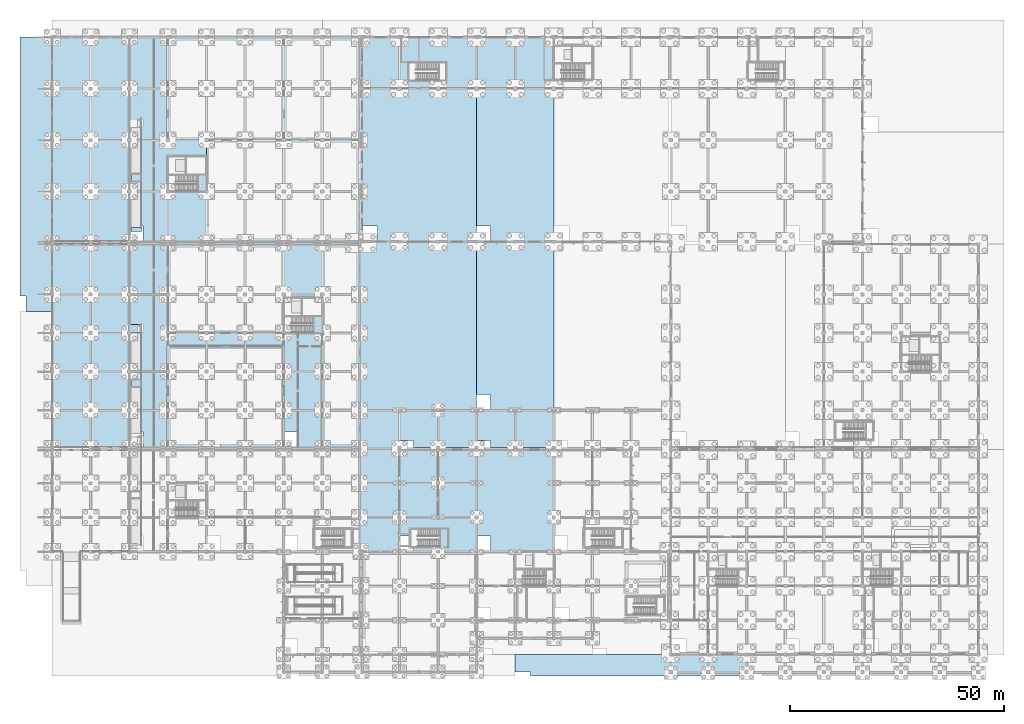
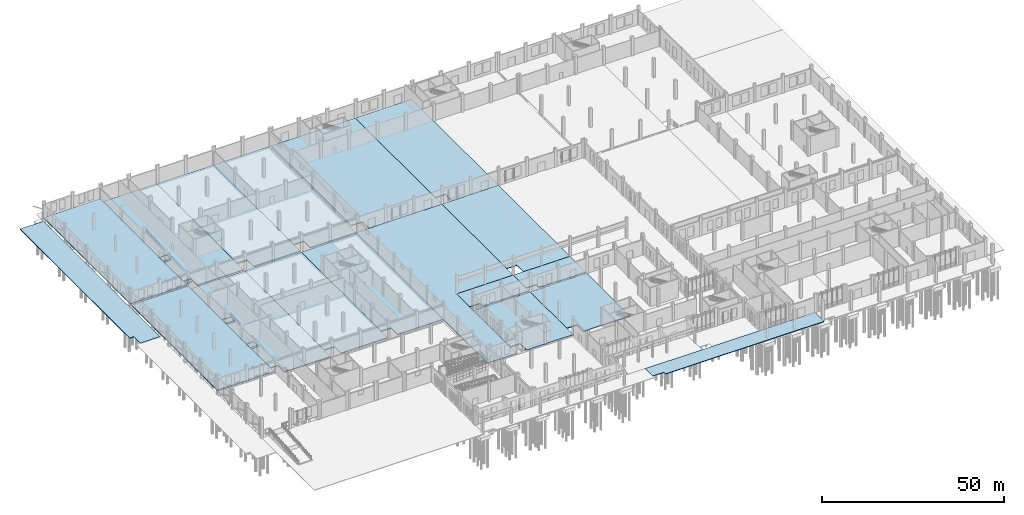
# One storey, part 48 of 99: 25 slabs, 5 elements without a shape of their own.
"""IFC4 building model written with IfcOpenShell, lengths in metres."""

from ifc_helpers import new_model, si_unit, direction, frame, origin, place, context, subcontext, project, spatial, polyline, outline, extrude, material, layer, layer_set, type_object, element, aggregate, save


model = new_model("IFC4")

# Units and contexts
model_context = context("Model", 3, precision=1e-05, world=origin(), true_north=direction((0.0, 1.0)))
body_context = subcontext(model_context, "Body", "Model", "MODEL_VIEW")
ifc_project = project(units=[si_unit("LENGTHUNIT", "METRE"), si_unit("AREAUNIT", "SQUARE_METRE"), si_unit("VOLUMEUNIT", "CUBIC_METRE"), si_unit("PLANEANGLEUNIT", "RADIAN"), si_unit("MASSUNIT", "GRAM", prefix="KILO")], contexts=[model_context])

# Site, building, storey
site_placement = place(None, origin())
site = spatial("IfcSite", under=ifc_project, at=site_placement, CompositionType="ELEMENT")
building_placement = place(site_placement, origin())
building = spatial("IfcBuilding", under=site, at=building_placement, Name="Zacnel Wholesale Market", CompositionType="ELEMENT")
storey_placement = place(building_placement, origin())
storey = spatial("IfcBuildingStorey", under=building, at=storey_placement, Name="L01", CompositionType="ELEMENT", Elevation=0.0)

# Slabs
ifc_material_1 = material(Name="Concrete C35/45", Category="concrete")
ifc_layer_1 = layer(ifc_material_1, 0.219970703125)
ifc_layer_set_1 = layer_set([ifc_layer_1], Name="Concrete C35/45")
slab_type_1 = type_object("IfcSlabType", Name="SLB-BASE-220", PredefinedType="BASESLAB", material=ifc_layer_set_1)
slab_1_placement = place(storey_placement, frame((0.0, 0.0, -0.219970703125)))
element("IfcSlab", 1, at=slab_1_placement, inside=storey, type_object=slab_type_1, Name="Structural slab SLB-L01-FORECOURT-S-P2", PredefinedType="BASESLAB", context=body_context, shape_type="SweptSolid", body=[
    extrude(outline(polyline([(111.60009765625, -5.0), (162.0, -5.0), (162.0, 0.0), (108.0, 0.0), (108.0, -4.10009765625), (111.60009765625, -4.10009765625), (111.60009765625, -5.0)])), origin(), (0.0, 0.0, 1.0), 0.219970703125),
])
slab_2_placement = place(storey_placement, frame((0.0, 0.0, -0.219970703125)))
element("IfcSlab", 2, at=slab_2_placement, inside=storey, type_object=slab_type_1, Name="Structural slab SLB-L01-COURT-C-P1", PredefinedType="BASESLAB", context=body_context, shape_type="SweptSolid", body=[
    extrude(outline(polyline([(71.699951171875, 96.300048828125), (99.0, 96.300048828125), (99.0, 57.0), (81.0, 57.0), (81.0, 24.0), (71.699951171875, 24.0), (71.699951171875, 96.300048828125)])), origin(), (0.0, 0.0, 1.0), 0.219970703125),
])
slab_3_placement = place(storey_placement, frame((0.0, 0.0, -0.219970703125)))
element("IfcSlab", 3, at=slab_3_placement, inside=storey, type_object=slab_type_1, Name="Structural slab SLB-L01-COURT-C-P2", PredefinedType="BASESLAB", context=body_context, shape_type="SweptSolid", body=[
    extrude(outline(polyline([(102.239990234375, 57.0), (117.0, 57.0), (117.0, 96.300048828125), (99.0, 96.300048828125), (99.0, 60.60009765625), (102.239990234375, 60.60009765625), (102.239990234375, 57.0)])), origin(), (0.0, 0.0, 1.0), 0.219970703125),
])
ifc_material_2 = material(Name="Concrete C35/45", Category="concrete")
ifc_layer_2 = layer(ifc_material_2, 0.239990234375)
ifc_layer_set_2 = layer_set([ifc_layer_2], Name="Concrete C35/45")
slab_type_2 = type_object("IfcSlabType", Name="SLB-BASE-240", PredefinedType="BASESLAB", material=ifc_layer_set_2)
slab_4_placement = place(storey_placement, frame((0.0, 0.0, -0.239990234375)))
element("IfcSlab", 4, at=slab_4_placement, inside=storey, type_object=slab_type_2, Name="Structural slab SLB-L01-APRON-W-P2", PredefinedType="BASESLAB", context=body_context, shape_type="SweptSolid", body=[
    extrude(outline(polyline([(-6.14990234375, 80.0), (0.0, 80.0), (0.0, 144.0), (-7.5, 144.0), (-7.5, 83.60009765625), (-6.14990234375, 83.60009765625), (-6.14990234375, 80.0)])), origin(), (0.0, 0.0, 1.0), 0.239990234375),
])
ifc_material_3 = material(Name="Concrete C35/45", Category="concrete")
ifc_layer_3 = layer(ifc_material_3, 0.260009765625)
ifc_layer_set_3 = layer_set([ifc_layer_3], Name="Concrete C35/45")
slab_type_3 = type_object("IfcSlabType", Name="SLB-BASE-260", PredefinedType="BASESLAB", material=ifc_layer_set_3)
slab_5_placement = place(storey_placement, frame((0.0, 0.0, -0.260009765625)))
element("IfcSlab", 5, at=slab_5_placement, inside=storey, type_object=slab_type_3, Name="Structural slab SLB-L01-V1N-W-P1", PredefinedType="BASESLAB", context=body_context, shape_type="SweptSolid", body=[
    extrude(outline(polyline([(75.89990234375, 96.300048828125), (99.0, 96.300048828125), (99.0, 144.0), (72.300048828125, 144.0), (72.300048828125, 99.89990234375), (75.89990234375, 99.89990234375), (75.89990234375, 96.300048828125)])), origin(), (0.0, 0.0, 1.0), 0.260009765625),
])
slab_6_placement = place(storey_placement, frame((0.0, 0.0, -0.260009765625)))
element("IfcSlab", 6, at=slab_6_placement, inside=storey, type_object=slab_type_3, Name="Structural slab SLB-L01-V1N-W-P2", PredefinedType="BASESLAB", context=body_context, shape_type="SweptSolid", body=[
    extrude(outline(polyline([(102.239990234375, 96.300048828125), (117.0, 96.300048828125), (117.0, 144.0), (99.0, 144.0), (99.0, 99.89990234375), (102.239990234375, 99.89990234375), (102.239990234375, 96.300048828125)])), origin(), (0.0, 0.0, 1.0), 0.260009765625),
])
ifc_material_4 = material(Name="Concrete C35/45", Category="concrete")
ifc_layer_4 = layer(ifc_material_4, 0.280029296875)
ifc_layer_set_4 = layer_set([ifc_layer_4], Name="Concrete C35/45")
slab_type_4 = type_object("IfcSlabType", Name="SLB-BASE-280", PredefinedType="BASESLAB", material=ifc_layer_set_4)
slab_7_placement = place(storey_placement, frame((0.0, 0.0, -0.280029296875)))
element("IfcSlab", 7, at=slab_7_placement, inside=storey, type_object=slab_type_4, Name="Structural slab SLB-L01-V2-AUC-P1", PredefinedType="BASESLAB", context=body_context, shape_type="SweptSolid", body=[
    extrude(outline(polyline([(84.239990234375, 24.0), (99.0, 24.0), (99.0, 47.699951171875), (81.0, 47.699951171875), (81.0, 27.60009765625), (84.239990234375, 27.60009765625), (84.239990234375, 24.0)])), origin(), (0.0, 0.0, 1.0), 0.280029296875),
])
slab_8_placement = place(storey_placement, frame((0.0, 0.0, -0.280029296875)))
element("IfcSlab", 8, at=slab_8_placement, inside=storey, type_object=slab_type_4, Name="Structural slab SLB-L01-V2-AUC-P2", PredefinedType="BASESLAB", context=body_context, shape_type="SweptSolid", body=[
    extrude(outline(polyline([(102.239990234375, 24.0), (117.0, 24.0), (117.0, 47.699951171875), (99.0, 47.699951171875), (99.0, 27.60009765625), (102.239990234375, 27.60009765625), (102.239990234375, 24.0)])), origin(), (0.0, 0.0, 1.0), 0.280029296875),
])
slab_9_placement = place(storey_placement, frame((0.0, 0.0, -0.280029296875)))
element("IfcSlab", 9, at=slab_9_placement, inside=storey, type_object=slab_type_4, Name="Structural slab SLB-L01-V2-FOY-P1", PredefinedType="BASESLAB", context=body_context, shape_type="SweptSolid", body=[
    extrude(outline(polyline([(84.239990234375, 48.300048828125), (99.0, 48.300048828125), (99.0, 57.0), (81.0, 57.0), (81.0, 49.8701171875), (84.239990234375, 49.8701171875), (84.239990234375, 48.300048828125)])), origin(), (0.0, 0.0, 1.0), 0.280029296875),
])
slab_10_placement = place(storey_placement, frame((0.0, 0.0, -0.280029296875)))
element("IfcSlab", 10, at=slab_10_placement, inside=storey, type_object=slab_type_4, Name="Structural slab SLB-L01-V2-FOY-P2", PredefinedType="BASESLAB", context=body_context, shape_type="SweptSolid", body=[
    extrude(outline(polyline([(102.239990234375, 48.300048828125), (117.0, 48.300048828125), (117.0, 57.0), (99.0, 57.0), (99.0, 49.8701171875), (102.239990234375, 49.8701171875), (102.239990234375, 48.300048828125)])), origin(), (0.0, 0.0, 1.0), 0.280029296875),
])
ifc_material_5 = material(Name="Concrete C35/45", Category="concrete")
ifc_layer_5 = layer(ifc_material_5, 0.300048828125)
ifc_layer_set_5 = layer_set([ifc_layer_5], Name="Concrete C35/45")
slab_type_5 = type_object("IfcSlabType", Name="SLB-BASE-300", PredefinedType="BASESLAB", material=ifc_layer_set_5)
slab_11_placement = place(storey_placement, frame((0.0, 0.0, -0.300048828125)))
element("IfcSlab", 11, at=slab_11_placement, inside=storey, type_object=slab_type_5, Name="Structural slab SLB-L01-V3-COLD-M-P1", PredefinedType="BASESLAB", context=body_context, shape_type="SweptSolid", body=[
    extrude(outline(polyline([(21.239990234375, 48.300048828125), (36.0, 48.300048828125), (36.0, 95.699951171875), (18.0, 95.699951171875), (18.0, 51.89990234375), (21.239990234375, 51.89990234375), (21.239990234375, 48.300048828125)])), origin(), (0.0, 0.0, 1.0), 0.300048828125),
])
slab_12_placement = place(storey_placement, frame((0.0, 0.0, -0.300048828125)))
element("IfcSlab", 12, at=slab_12_placement, inside=storey, type_object=slab_type_5, Name="Structural slab SLB-L01-V3-COLD-M-P2", PredefinedType="BASESLAB", context=body_context, shape_type="SweptSolid", body=[
    extrude(outline(polyline([(39.239990234375, 48.300048828125), (54.0, 48.300048828125), (54.0, 95.699951171875), (36.0, 95.699951171875), (36.0, 51.89990234375), (39.239990234375, 51.89990234375), (39.239990234375, 48.300048828125)])), origin(), (0.0, 0.0, 1.0), 0.300048828125),
])
slab_13_placement = place(storey_placement, frame((0.0, 0.0, -0.300048828125)))
element("IfcSlab", 13, at=slab_13_placement, inside=storey, type_object=slab_type_5, Name="Structural slab SLB-L01-V3-COLD-M-P3", PredefinedType="BASESLAB", context=body_context, shape_type="SweptSolid", body=[
    extrude(outline(polyline([(57.18994140625, 48.300048828125), (71.699951171875, 48.300048828125), (71.699951171875, 95.699951171875), (54.0, 95.699951171875), (54.0, 51.89990234375), (57.18994140625, 51.89990234375), (57.18994140625, 48.300048828125)])), origin(), (0.0, 0.0, 1.0), 0.300048828125),
])
slab_14_placement = place(storey_placement, frame((0.0, 0.0, -0.300048828125)))
element("IfcSlab", 14, at=slab_14_placement, inside=storey, type_object=slab_type_5, Name="Structural slab SLB-L01-V3-COLD-N-P1", PredefinedType="BASESLAB", context=body_context, shape_type="SweptSolid", body=[
    extrude(outline(polyline([(21.239990234375, 96.300048828125), (36.0, 96.300048828125), (36.0, 144.0), (18.0, 144.0), (18.0, 99.89990234375), (21.239990234375, 99.89990234375), (21.239990234375, 96.300048828125)])), origin(), (0.0, 0.0, 1.0), 0.300048828125),
])
slab_15_placement = place(storey_placement, frame((0.0, 0.0, -0.300048828125)))
element("IfcSlab", 15, at=slab_15_placement, inside=storey, type_object=slab_type_5, Name="Structural slab SLB-L01-V3-COLD-N-P2", PredefinedType="BASESLAB", context=body_context, shape_type="SweptSolid", body=[
    extrude(outline(polyline([(39.239990234375, 96.300048828125), (54.0, 96.300048828125), (54.0, 144.0), (36.0, 144.0), (36.0, 99.89990234375), (39.239990234375, 99.89990234375), (39.239990234375, 96.300048828125)])), origin(), (0.0, 0.0, 1.0), 0.300048828125),
])
slab_16_placement = place(storey_placement, frame((0.0, 0.0, -0.300048828125)))
element("IfcSlab", 16, at=slab_16_placement, inside=storey, type_object=slab_type_5, Name="Structural slab SLB-L01-V3-COLD-N-P3", PredefinedType="BASESLAB", context=body_context, shape_type="SweptSolid", body=[
    extrude(outline(polyline([(57.18994140625, 96.300048828125), (71.699951171875, 96.300048828125), (71.699951171875, 144.0), (54.0, 144.0), (54.0, 99.89990234375), (57.18994140625, 99.89990234375), (57.18994140625, 96.300048828125)])), origin(), (0.0, 0.0, 1.0), 0.300048828125),
])
ifc_material_6 = material(Name="Precast concrete C45/55", Category="concrete")
ifc_layer_6 = layer(ifc_material_6, 0.300048828125)
ifc_layer_set_6 = layer_set([ifc_layer_6], Name="Precast concrete C45/55")
slab_type_6 = type_object("IfcSlabType", Name="SLB-FLR-300", PredefinedType="FLOOR", material=ifc_layer_set_6)
slab_17_placement = place(storey_placement, frame((0.0, 0.0, 0.925048828125)))
element("IfcSlab", 17, at=slab_17_placement, inside=storey, type_object=slab_type_6, Name="Structural slab SLB-L01-V3-DOCK-M", PredefinedType="FLOOR", context=body_context, shape_type="SweptSolid", body=[
    extrude(outline(polyline([(18.0, 48.300048828125), (18.0, 95.699951171875), (0.0, 95.699951171875), (0.0, 48.300048828125), (18.0, 48.300048828125)])), origin(), (0.0, 0.0, 1.0), 0.300048828125),
])
slab_18_placement = place(storey_placement, frame((0.0, 0.0, 0.925048828125)))
element("IfcSlab", 18, at=slab_18_placement, inside=storey, type_object=slab_type_6, Name="Structural slab SLB-L01-V3-DOCK-N", PredefinedType="FLOOR", context=body_context, shape_type="SweptSolid", body=[
    extrude(outline(polyline([(18.0, 96.300048828125), (18.0, 144.0), (0.0, 144.0), (0.0, 96.300048828125), (18.0, 96.300048828125)])), origin(), (0.0, 0.0, 1.0), 0.300048828125),
])

# Stair, slab
ifc_material_7 = material(Name="Precast concrete C45/55", Category="concrete")
stair_type = type_object("IfcStairType", Name="STR-DOGLEG-1550", PredefinedType="HALF_TURN_STAIR", material=ifc_material_7)
stair_1_placement = place(storey_placement, origin())
stair_1 = element("IfcStair", 19, at=stair_1_placement, inside=storey, type_object=stair_type, Name="Stair ST-09 (L01)", PredefinedType="HALF_TURN_STAIR")
ifc_material_8 = material(Name="Precast concrete C45/55", Category="concrete")
ifc_layer_7 = layer(ifc_material_8, 0.199951171875)
ifc_layer_set_7 = layer_set([ifc_layer_7], Name="Precast concrete C45/55")
slab_type_7 = type_object("IfcSlabType", Name="SLB-LAND-200", PredefinedType="LANDING", material=ifc_layer_set_7)
slab_19_placement = place(storey_placement, frame((0.0, 0.0, 2.949951171875)))
slab_19 = element("IfcSlab", 20, at=slab_19_placement, type_object=slab_type_7, Name="ST-09 landing 1", PredefinedType="LANDING", context=body_context, shape_type="SweptSolid", body=[
    extrude(outline(polyline([(60.909912109375, 74.989990234375), (63.010009765625, 74.989990234375), (63.010009765625, 78.9599609375), (60.909912109375, 78.9599609375), (60.909912109375, 74.989990234375)])), origin(), (0.0, 0.0, 1.0), 0.199951171875),
])
aggregate(stair_1, [slab_19])

stair_2_placement = place(storey_placement, origin())
stair_2 = element("IfcStair", 21, at=stair_2_placement, inside=storey, type_object=stair_type, Name="Stair ST-12 (L01)", PredefinedType="HALF_TURN_STAIR")
slab_20_placement = place(storey_placement, frame((0.0, 0.0, 2.949951171875)))
slab_20 = element("IfcSlab", 22, at=slab_20_placement, type_object=slab_type_7, Name="ST-12 landing 1", PredefinedType="LANDING", context=body_context, shape_type="SweptSolid", body=[
    extrude(outline(polyline([(33.909912109375, 107.989990234375), (36.010009765625, 107.989990234375), (36.010009765625, 111.9599609375), (33.909912109375, 111.9599609375), (33.909912109375, 107.989990234375)])), origin(), (0.0, 0.0, 1.0), 0.199951171875),
])
aggregate(stair_2, [slab_20])

stair_3_placement = place(storey_placement, origin())
stair_3 = element("IfcStair", 23, at=stair_3_placement, inside=storey, type_object=stair_type, Name="Stair ST-18 (L01)", PredefinedType="HALF_TURN_STAIR")
slab_21_placement = place(storey_placement, frame((0.0, 0.0, 2.949951171875)))
slab_21 = element("IfcSlab", 24, at=slab_21_placement, type_object=slab_type_7, Name="ST-18 landing 1", PredefinedType="LANDING", context=body_context, shape_type="SweptSolid", body=[
    extrude(outline(polyline([(90.3798828125, 25.06005859375), (92.340087890625, 25.06005859375), (92.340087890625, 29.340087890625), (90.3798828125, 29.340087890625), (90.3798828125, 25.06005859375)])), origin(), (0.0, 0.0, 1.0), 0.199951171875),
])
aggregate(stair_3, [slab_21])

# Ramp, slabs
ifc_material_9 = material(Name="Precast concrete C45/55", Category="concrete")
ramp_type = type_object("IfcRampType", Name="RMP-STR-RUN-2400", PredefinedType="STRAIGHT_RUN_RAMP", material=ifc_material_9)
ramp_1_placement = place(storey_placement, origin())
ramp_1 = element("IfcRamp", 25, at=ramp_1_placement, inside=storey, type_object=ramp_type, Name="Accessible ramp RP-01 (RMP-DOCK-M)", PredefinedType="STRAIGHT_RUN_RAMP")
ifc_material_10 = material(Name="Precast concrete C45/55", Category="concrete")
ifc_layer_8 = layer(ifc_material_10, 0.39990234375)
ifc_layer_set_8 = layer_set([ifc_layer_8], Name="Precast concrete C45/55")
slab_type_8 = type_object("IfcSlabType", Name="SLB-LAND-400", PredefinedType="LANDING", material=ifc_layer_set_8)
slab_22_placement = place(storey_placement, frame((0.0, 0.0, 0.02001953125)))
slab_22 = element("IfcSlab", 26, at=slab_22_placement, type_object=slab_type_8, Name="Accessible ramp RP-01 (RMP-DOCK-M) landing 1", PredefinedType="LANDING", context=body_context, shape_type="SweptSolid", body=[
    extrude(outline(polyline([(18.39990234375, 62.25), (20.800048828125, 62.25), (20.800048828125, 64.25), (18.39990234375, 64.25), (18.39990234375, 62.25)])), origin(), (0.0, 0.0, 1.0), 0.592529296875),
])
slab_23_placement = place(storey_placement, frame((0.0, 0.0, 0.824951171875)))
slab_23 = element("IfcSlab", 27, at=slab_23_placement, type_object=slab_type_8, Name="Accessible ramp RP-01 (RMP-DOCK-M) landing 2", PredefinedType="LANDING", context=body_context, shape_type="SweptSolid", body=[
    extrude(outline(polyline([(18.0, 74.949951171875), (20.800048828125, 74.949951171875), (20.800048828125, 76.949951171875), (18.0, 76.949951171875), (18.0, 74.949951171875)])), origin(), (0.0, 0.0, 1.0), 0.400146484375),
])
aggregate(ramp_1, [slab_22, slab_23])

ramp_2_placement = place(storey_placement, origin())
ramp_2 = element("IfcRamp", 28, at=ramp_2_placement, inside=storey, type_object=ramp_type, Name="Accessible ramp RP-01 (RMP-DOCK-N)", PredefinedType="STRAIGHT_RUN_RAMP")
slab_24_placement = place(storey_placement, frame((0.0, 0.0, -0.5)))
slab_24 = element("IfcSlab", 29, at=slab_24_placement, type_object=slab_type_8, Name="Accessible ramp RP-01 (RMP-DOCK-N) starter threshold", PredefinedType="LANDING", context=body_context, shape_type="SweptSolid", body=[
    extrude(outline(polyline([(18.39990234375, 98.699951171875), (20.800048828125, 98.699951171875), (20.800048828125, 99.60009765625), (18.39990234375, 99.60009765625), (18.39990234375, 98.699951171875)])), origin(), (0.0, 0.0, 1.0), 0.5),
])
slab_25_placement = place(storey_placement, frame((0.0, 0.0, 0.02001953125)))
slab_25 = element("IfcSlab", 30, at=slab_25_placement, type_object=slab_type_8, Name="Accessible ramp RP-01 (RMP-DOCK-N) landing 1", PredefinedType="LANDING", context=body_context, shape_type="SweptSolid", body=[
    extrude(outline(polyline([(18.39990234375, 110.25), (20.800048828125, 110.25), (20.800048828125, 112.25), (18.39990234375, 112.25), (18.39990234375, 110.25)])), origin(), (0.0, 0.0, 1.0), 0.592529296875),
])
aggregate(ramp_2, [slab_24, slab_25])

save(model, "model.ifc")
